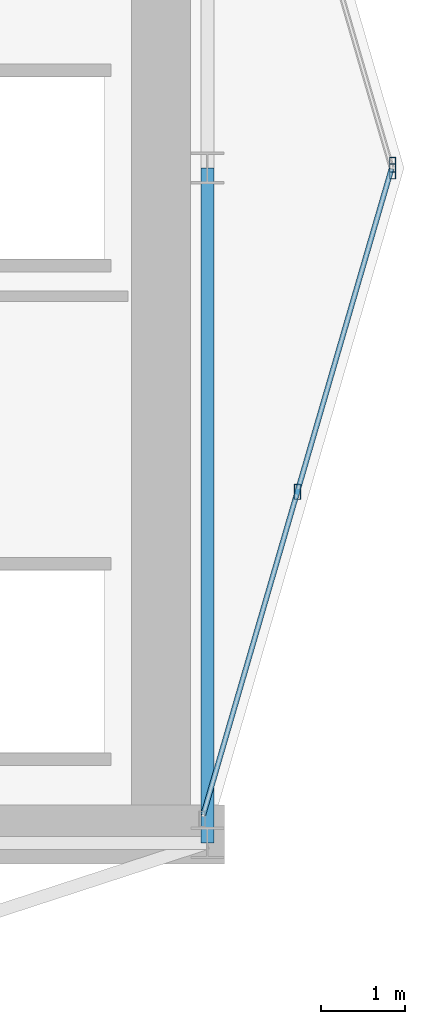
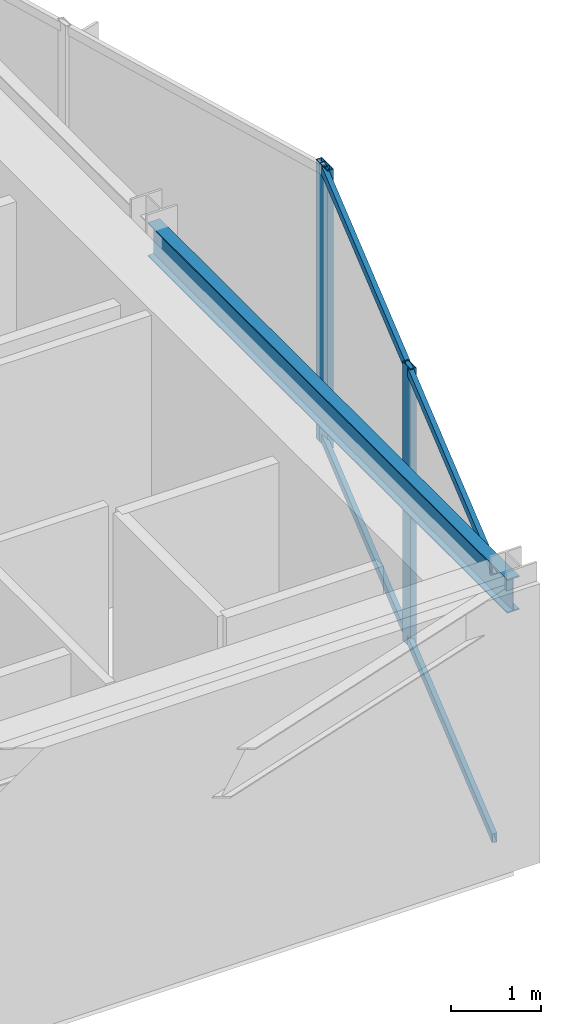
# One storey, part 13 of 21: 5 members, 1 beam, 2 elements without a shape of their own.
"""IFC4 building model written with IfcOpenShell, lengths in metres."""

from ifc_helpers import new_model, si_unit, direction, frame, origin, origin_2d, place, context, subcontext, project, spatial, hollow_rectangle, i_section, extrude, material, layer, layer_set, material_profile, profile_set, type_object, element, aggregate, save


model = new_model("IFC4")

# Units and contexts
model_context = context("Model", 3, precision=1e-05, world=origin(), true_north=direction((0.0, 1.0)))
body_context = subcontext(model_context, "Body", "Model", "MODEL_VIEW")
ifc_project = project(units=[si_unit("LENGTHUNIT", "METRE"), si_unit("AREAUNIT", "SQUARE_METRE"), si_unit("VOLUMEUNIT", "CUBIC_METRE"), si_unit("PLANEANGLEUNIT", "RADIAN"), si_unit("MASSUNIT", "GRAM", prefix="KILO")], contexts=[model_context])

# Site, building, storey
site_placement = place(None, origin())
site = spatial("IfcSite", under=ifc_project, at=site_placement, CompositionType="ELEMENT")
building_placement = place(site_placement, origin())
building = spatial("IfcBuilding", under=site, at=building_placement, Name="Veymaron Broadcast Tower", CompositionType="ELEMENT")
storey_placement = place(building_placement, frame((0.0, 0.0, 232.35009765625)))
storey = spatial("IfcBuildingStorey", under=building, at=storey_placement, Name="L54", CompositionType="ELEMENT", Elevation=232.35009765625)

# Beam
ifc_material_1 = material(Name="Structural steel ASTM A992 Gr 50", Category="steel")
ifc_material_profile_1 = material_profile(ifc_material_1, i_section(OverallWidth=0.154052734375, OverallDepth=0.458984375, WebThickness=0.009033203125, FlangeThickness=0.015380859375, at=origin_2d()), Name="W460X68")
ifc_profile_set_1 = profile_set([ifc_material_profile_1], Name="Structural steel ASTM A992 Gr 50")
beam_type = type_object("IfcBeamType", Name="BM-SP2", PredefinedType="SPANDREL", material=ifc_profile_set_1)
beam_placement = place(storey_placement, frame((54.60009765625, 16.0, 3.560302734375), z_axis=(0.0, 1.0, 0.0), x_axis=(-1.0, 0.0, 0.0)))
element("IfcBeam", 1, at=beam_placement, inside=storey, type_object=beam_type, Name="L54 primary structural floor girder", PredefinedType="SPANDREL", context=body_context, shape_type="SweptSolid", body=[
    extrude(i_section(OverallWidth=0.154052734375, OverallDepth=0.458984375, WebThickness=0.009033203125, FlangeThickness=0.015380859375, at=origin_2d()), origin(), (0.0, 0.0, 1.0), 8.0),
])

# Curtain wall, members
ifc_material_2 = material(Name="Anodised aluminium AA 6063-T6 and laminated low-E dark glass", Category="aluminium")
ifc_layer = layer(ifc_material_2, 0.179931640625)
ifc_layer_set = layer_set([ifc_layer], Name="Anodised aluminium AA 6063-T6 and laminated low-E dark glass")
curtain_wall_type = type_object("IfcCurtainWallType", Name="CW-SYS-05", PredefinedType="NOTDEFINED", material=ifc_layer_set)
curtain_wall_1_placement = place(storey_placement, origin())
curtain_wall_1 = element("IfcCurtainWall", 2, at=curtain_wall_1_placement, inside=storey, type_object=curtain_wall_type, Name="L54 dark-glass curtain wall CW-L54-E2-1", PredefinedType="NOTDEFINED")
ifc_material_3 = material(Name="Anodised aluminium AA 6063-T6", Category="aluminium")
ifc_material_profile_2 = material_profile(ifc_material_3, hollow_rectangle(XDim=0.074951171875, YDim=0.179931640625, WallThickness=0.0048828125, at=origin_2d()), Name="AL180X75X5")
ifc_profile_set_2 = profile_set([ifc_material_profile_2], Name="Anodised aluminium AA 6063-T6")
member_type_1 = type_object("IfcMemberType", Name="CW-MUL-02", PredefinedType="MULLION", material=ifc_profile_set_2)
member_1_placement = place(storey_placement, frame((55.66650390625, 20.16064453125, 0.0), z_axis=(0.0, 0.0, 1.0), x_axis=(1.0, 0.0, 0.0)))
member_1 = element("IfcMember", 3, at=member_1_placement, type_object=member_type_1, Name="CW-L54-E2-1 mullion 1", PredefinedType="MULLION", context=body_context, shape_type="SweptSolid", body=[
    extrude(hollow_rectangle(XDim=0.074951171875, YDim=0.179931640625, WallThickness=0.0048828125, at=origin_2d()), origin(), (0.0, 0.0, 1.0), 3.789794921875),
])
member_2_placement = place(storey_placement, frame((56.796630859375, 24.039306640625, 0.0), z_axis=(0.0, 0.0, 1.0), x_axis=(1.0, 0.0, 0.0)))
member_2 = element("IfcMember", 4, at=member_2_placement, type_object=member_type_1, Name="CW-L54-E2-1 mullion 2", PredefinedType="MULLION", context=body_context, shape_type="SweptSolid", body=[
    extrude(hollow_rectangle(XDim=0.074951171875, YDim=0.179931640625, WallThickness=0.0048828125, at=origin_2d()), origin(), (0.0, 0.0, 1.0), 3.789794921875),
])

# Curtain wall, member
curtain_wall_2_placement = place(storey_placement, origin())
curtain_wall_2 = element("IfcCurtainWall", 5, at=curtain_wall_2_placement, inside=storey, type_object=curtain_wall_type, Name="L54 dark-glass curtain wall CW-L54-E3-1", PredefinedType="NOTDEFINED")
member_3_placement = place(storey_placement, frame((56.796630859375, 23.960693359375, 0.0), z_axis=(0.0, 0.0, 1.0), x_axis=(1.0, 0.0, 0.0)))
member_3 = element("IfcMember", 6, at=member_3_placement, type_object=member_type_1, Name="CW-L54-E3-1 mullion 0", PredefinedType="MULLION", context=body_context, shape_type="SweptSolid", body=[
    extrude(hollow_rectangle(XDim=0.074951171875, YDim=0.179931640625, WallThickness=0.0048828125, at=origin_2d()), origin(), (0.0, 0.0, 1.0), 3.789794921875),
])
aggregate(curtain_wall_2, [member_3])

# Member
ifc_material_profile_3 = material_profile(ifc_material_3, hollow_rectangle(XDim=0.06005859375, YDim=0.1201171875, WallThickness=0.00390625, at=origin_2d()), Name="AL120X60X4")
ifc_profile_set_3 = profile_set([ifc_material_profile_3], Name="Anodised aluminium AA 6063-T6")
member_type_2 = type_object("IfcMemberType", Name="CW-TRN-02", PredefinedType="USERDEFINED", material=ifc_profile_set_3)
member_4_placement = place(storey_placement, frame((54.55029296875, 16.330078125, 0.06982421875), z_axis=(0.279760322588, 0.960069873449, 0.0), x_axis=(-0.960069873449, 0.279760322588, 0.0)))
member_4 = element("IfcMember", 7, at=member_4_placement, type_object=member_type_2, Name="CW-L54-E2-1 transom B", ObjectType="TRANSOM", PredefinedType="USERDEFINED", context=body_context, shape_type="SweptSolid", body=[
    extrude(hollow_rectangle(XDim=0.06005859375, YDim=0.1201171875, WallThickness=0.00390625, at=origin_2d()), origin(), (0.0, 0.0, 1.0), 7.979736328125),
])

member_5_placement = place(storey_placement, frame((54.55029296875, 16.330078125, 3.719970703125), z_axis=(0.279760322588, 0.960069873449, 0.0), x_axis=(-0.960069873449, 0.279760322588, 0.0)))
member_5 = element("IfcMember", 8, at=member_5_placement, type_object=member_type_2, Name="CW-L54-E2-1 transom T", ObjectType="TRANSOM", PredefinedType="USERDEFINED", context=body_context, shape_type="SweptSolid", body=[
    extrude(hollow_rectangle(XDim=0.06005859375, YDim=0.1201171875, WallThickness=0.00390625, at=origin_2d()), origin(), (0.0, 0.0, 1.0), 7.979736328125),
])

aggregate(curtain_wall_1, [member_1, member_2, member_4, member_5])

save(model, "model.ifc")
